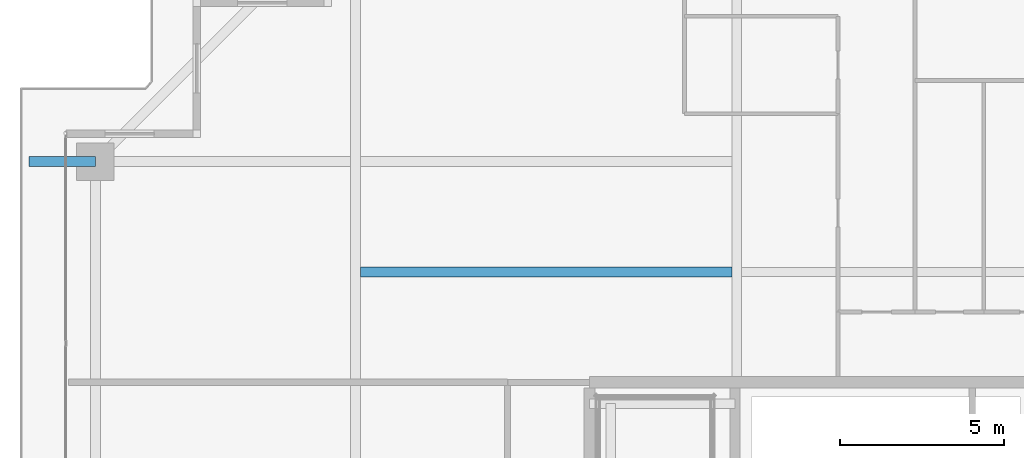
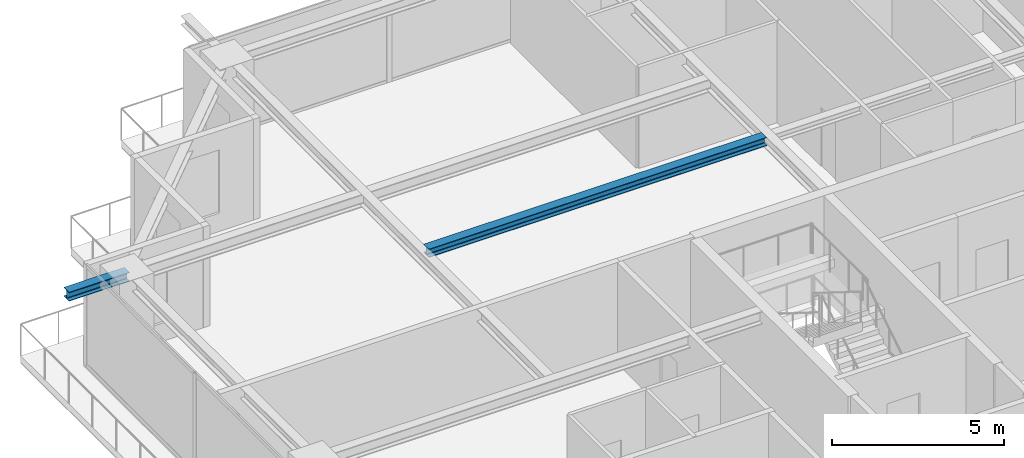
# One storey, part 17 of 37: 2 beams.
"""IFC4 building model written with IfcOpenShell, lengths in metres."""

from ifc_helpers import new_model, si_unit, direction, frame, origin, origin_2d, place, context, subcontext, project, spatial, i_section, extrude, source, transform, mapped, material, material_profile, profile_set, type_object, element, save


model = new_model("IFC4")

# Units and contexts
model_context = context("Model", 3, precision=1e-05, world=origin(), true_north=direction((0.0, 1.0)))
body_context = subcontext(model_context, "Body", "Model", "MODEL_VIEW")
ifc_project = project(units=[si_unit("LENGTHUNIT", "METRE"), si_unit("AREAUNIT", "SQUARE_METRE"), si_unit("VOLUMEUNIT", "CUBIC_METRE"), si_unit("PLANEANGLEUNIT", "RADIAN"), si_unit("MASSUNIT", "GRAM", prefix="KILO")], contexts=[model_context])

# Site, building, storey
site_placement = place(None, origin())
site = spatial("IfcSite", under=ifc_project, at=site_placement, CompositionType="ELEMENT")
building_placement = place(site_placement, origin())
building = spatial("IfcBuilding", under=site, at=building_placement, Name="Serunith Strait Residences", CompositionType="ELEMENT")
storey_placement = place(building_placement, frame((0.0, 0.0, 260.5)))
storey = spatial("IfcBuildingStorey", under=building, at=storey_placement, Name="L65", CompositionType="ELEMENT", Elevation=260.5)

# Beams
ifc_material = material(Name="Steel S355J2", Category="steel")
ifc_material_profile_1 = material_profile(ifc_material, i_section(OverallWidth=0.300048828125, OverallDepth=0.300048828125, WebThickness=0.010986328125, FlangeThickness=0.01904296875, FilletRadius=0.027099609375, at=origin_2d()), Name="HEB 300")
ifc_profile_set_1 = profile_set([ifc_material_profile_1], Name="Steel S355J2")
beam_type_1 = type_object("IfcBeamType", Name="BM-HEB300", PredefinedType="JOIST", material=ifc_profile_set_1)
shared_shape_1 = source(origin(), body_context, "Body", "SweptSolid", [
    extrude(i_section(OverallWidth=0.300048828125, OverallDepth=0.300048828125, WebThickness=0.010986328125, FlangeThickness=0.01904296875, FilletRadius=0.027099609375, at=origin_2d()), origin(), (0.0, 0.0, 1.0), 11.35009765625),
])
beam_1_placement = place(storey_placement, frame((16.39990234375, 36.97509765625, 3.43701171875), z_axis=(1.0, 0.0, 0.0), x_axis=(0.0, 1.0, 0.0)))
element("IfcBeam", 1, at=beam_1_placement, inside=storey, type_object=beam_type_1, Name="L65 Composite Floor Joist 04", PredefinedType="JOIST", context=body_context, shape_type="MappedRepresentation", body=[
    mapped(shared_shape_1, transform((0.0, 0.0, 0.0), scale=1.0)),
])
ifc_material_profile_2 = material_profile(ifc_material, i_section(OverallWidth=0.300048828125, OverallDepth=0.320068359375, WebThickness=0.011474609375, FlangeThickness=0.0205078125, FilletRadius=0.027099609375, at=origin_2d()), Name="HEB 320")
ifc_profile_set_2 = profile_set([ifc_material_profile_2], Name="Steel S355J2")
beam_type_2 = type_object("IfcBeamType", Name="BM-HEB320", PredefinedType="BEAM", material=ifc_profile_set_2)
shared_shape_2 = source(origin(), body_context, "Body", "SweptSolid", [
    extrude(i_section(OverallWidth=0.300048828125, OverallDepth=0.320068359375, WebThickness=0.011474609375, FlangeThickness=0.0205078125, FilletRadius=0.027099609375, at=origin_2d()), origin(), (0.0, 0.0, 1.0), 2.030029296875),
])
beam_2_placement = place(storey_placement, frame((8.300048828125, 40.35009765625, 3.39697265625), z_axis=(-1.0, 0.0, 0.0), x_axis=(0.0, -1.0, 0.0)))
element("IfcBeam", 2, at=beam_2_placement, inside=storey, type_object=beam_type_2, Name="L66 Cantilevered Balcony Rib TC-W4", PredefinedType="BEAM", context=body_context, shape_type="MappedRepresentation", body=[
    mapped(shared_shape_2, transform((0.0, 0.0, 0.0), scale=1.0)),
])

save(model, "model.ifc")
